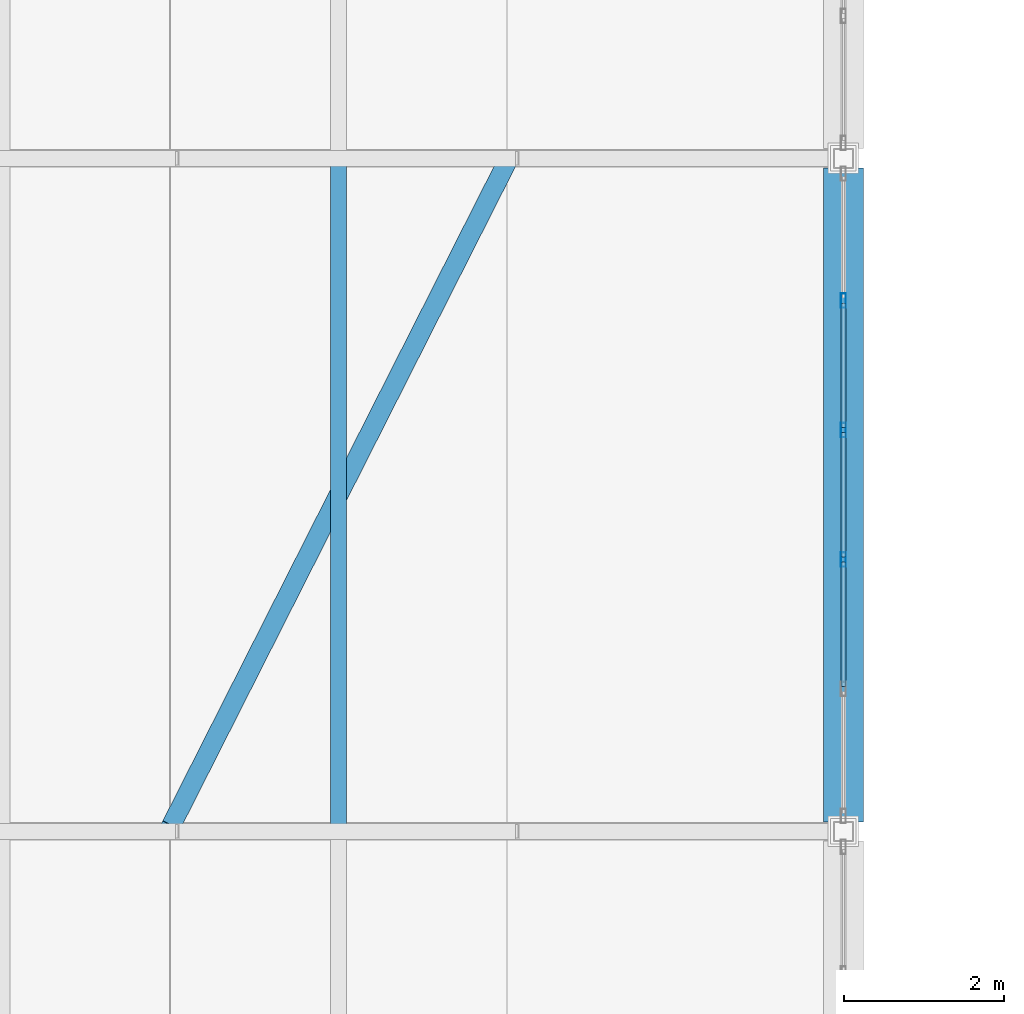
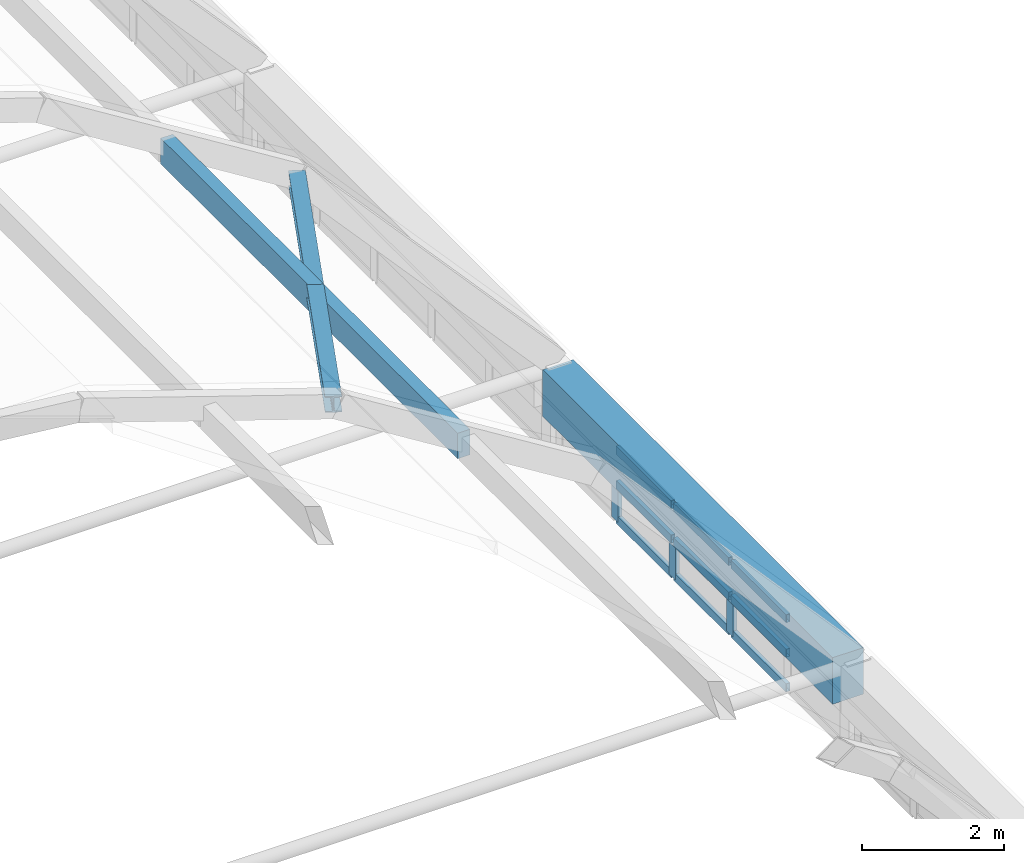
# One storey, part 24 of 114: 14 members, 1 beam, 1 element without a shape of its own.
"""IFC4 building model written with IfcOpenShell, lengths in metres."""

from ifc_helpers import new_model, si_unit, direction, frame, origin, origin_2d, place, context, subcontext, project, spatial, rectangle, hollow_rectangle, i_section, extrude, material, layer, layer_set, material_profile, profile_set, type_object, element, aggregate, save


model = new_model("IFC4")

# Units and contexts
model_context = context("Model", 3, precision=1e-05, world=origin(), true_north=direction((0.0, 1.0)))
body_context = subcontext(model_context, "Body", "Model", "MODEL_VIEW")
ifc_project = project(units=[si_unit("LENGTHUNIT", "METRE"), si_unit("AREAUNIT", "SQUARE_METRE"), si_unit("VOLUMEUNIT", "CUBIC_METRE"), si_unit("PLANEANGLEUNIT", "RADIAN"), si_unit("MASSUNIT", "GRAM", prefix="KILO")], contexts=[model_context])

# Site, building, storey
site_placement = place(None, origin())
site = spatial("IfcSite", under=ifc_project, at=site_placement, CompositionType="ELEMENT")
building_placement = place(site_placement, origin())
building = spatial("IfcBuilding", under=site, at=building_placement, Name="Xazarin Passage Department Store", CompositionType="ELEMENT")
storey_placement = place(building_placement, frame((0.0, 0.0, 14.39990234375)))
storey = spatial("IfcBuildingStorey", under=building, at=storey_placement, Name="L03", CompositionType="ELEMENT", Elevation=14.39990234375)

# Curtain wall, members
ifc_material_1 = material(Name="Bronze anodised aluminium", Category="aluminium")
ifc_layer = layer(ifc_material_1, 0.159912109375)
ifc_layer_set = layer_set([ifc_layer], Name="Bronze anodised aluminium")
curtain_wall_type = type_object("IfcCurtainWallType", Name="ARC-CW-ARC1", PredefinedType="NOTDEFINED", material=ifc_layer_set)
curtain_wall_placement = place(storey_placement, origin())
curtain_wall = element("IfcCurtainWall", 1, at=curtain_wall_placement, inside=storey, type_object=curtain_wall_type, Name="L03 V2S Galleria Clerestory Curtain Wall 4E", PredefinedType="NOTDEFINED")
ifc_material_profile_1 = material_profile(ifc_material_1, hollow_rectangle(XDim=0.06494140625, YDim=0.179931640625, WallThickness=0.00390625, at=origin_2d()), Name="ALU 65x180")
ifc_profile_set_1 = profile_set([ifc_material_profile_1], Name="Bronze anodised aluminium")
member_type_1 = type_object("IfcMemberType", Name="ARC-CWM-65x180", PredefinedType="MULLION", material=ifc_profile_set_1)
member_1_placement = place(storey_placement, frame((101.60009765625, 28.592041015625, 0.0), z_axis=(0.0, 0.0, 1.0), x_axis=(-1.0, 0.0, 0.0)))
member_1 = element("IfcMember", 2, at=member_1_placement, type_object=member_type_1, Name="CW3 mullion 3", PredefinedType="MULLION", context=body_context, shape_type="SweptSolid", body=[
    extrude(hollow_rectangle(XDim=0.06494140625, YDim=0.179931640625, WallThickness=0.00390625, at=origin_2d()), origin(), (0.0, 0.0, 1.0), 1.251708984375),
])
member_2_placement = place(storey_placement, frame((101.60009765625, 30.2080078125, 0.0), z_axis=(0.0, 0.0, 1.0), x_axis=(-1.0, 0.0, 0.0)))
member_2 = element("IfcMember", 3, at=member_2_placement, type_object=member_type_1, Name="CW3 mullion 4", PredefinedType="MULLION", context=body_context, shape_type="SweptSolid", body=[
    extrude(hollow_rectangle(XDim=0.06494140625, YDim=0.179931640625, WallThickness=0.00390625, at=origin_2d()), origin(), (0.0, 0.0, 1.0), 1.251708984375),
])
member_3_placement = place(storey_placement, frame((101.60009765625, 31.823974609375, 0.0), z_axis=(0.0, 0.0, 1.0), x_axis=(-1.0, 0.0, 0.0)))
member_3 = element("IfcMember", 4, at=member_3_placement, type_object=member_type_1, Name="CW3 mullion 5", PredefinedType="MULLION", context=body_context, shape_type="SweptSolid", body=[
    extrude(hollow_rectangle(XDim=0.06494140625, YDim=0.179931640625, WallThickness=0.00390625, at=origin_2d()), origin(), (0.0, 0.0, 1.0), 1.251708984375),
])
ifc_material_profile_2 = material_profile(ifc_material_1, hollow_rectangle(XDim=0.06494140625, YDim=0.139892578125, WallThickness=0.00390625, at=origin_2d()), Name="ALU 65x140")
ifc_profile_set_2 = profile_set([ifc_material_profile_2], Name="Bronze anodised aluminium")
member_type_2 = type_object("IfcMemberType", Name="ARC-CWT-65x140", PredefinedType="USERDEFINED", material=ifc_profile_set_2)
member_4_placement = place(storey_placement, frame((101.60009765625, 27.008544921875, 0.03271484375), z_axis=(0.0, 1.0, 0.0), x_axis=(-1.0, 0.0, 0.0)))
member_4 = element("IfcMember", 5, at=member_4_placement, type_object=member_type_2, Name="CW3 transom 2.1", ObjectType="TRANSOM", PredefinedType="USERDEFINED", context=body_context, shape_type="SweptSolid", body=[
    extrude(hollow_rectangle(XDim=0.06494140625, YDim=0.139892578125, WallThickness=0.00390625, at=origin_2d()), origin(), (0.0, 0.0, 1.0), 1.551025390625),
])
member_5_placement = place(storey_placement, frame((101.60009765625, 27.008544921875, 0.6259765625), z_axis=(0.0, 1.0, 0.0), x_axis=(-1.0, 0.0, 0.0)))
member_5 = element("IfcMember", 6, at=member_5_placement, type_object=member_type_2, Name="CW3 transom 2.2", ObjectType="TRANSOM", PredefinedType="USERDEFINED", context=body_context, shape_type="SweptSolid", body=[
    extrude(hollow_rectangle(XDim=0.06494140625, YDim=0.139892578125, WallThickness=0.00390625, at=origin_2d()), origin(), (0.0, 0.0, 1.0), 1.551025390625),
])
member_6_placement = place(storey_placement, frame((101.60009765625, 27.008544921875, 1.21923828125), z_axis=(0.0, 1.0, 0.0), x_axis=(-1.0, 0.0, 0.0)))
member_6 = element("IfcMember", 7, at=member_6_placement, type_object=member_type_2, Name="CW3 transom 2.3", ObjectType="TRANSOM", PredefinedType="USERDEFINED", context=body_context, shape_type="SweptSolid", body=[
    extrude(hollow_rectangle(XDim=0.06494140625, YDim=0.139892578125, WallThickness=0.00390625, at=origin_2d()), origin(), (0.0, 0.0, 1.0), 1.551025390625),
])
member_7_placement = place(storey_placement, frame((101.60009765625, 28.62451171875, 0.03271484375), z_axis=(0.0, 1.0, 0.0), x_axis=(-1.0, 0.0, 0.0)))
member_7 = element("IfcMember", 8, at=member_7_placement, type_object=member_type_2, Name="CW3 transom 3.1", ObjectType="TRANSOM", PredefinedType="USERDEFINED", context=body_context, shape_type="SweptSolid", body=[
    extrude(hollow_rectangle(XDim=0.06494140625, YDim=0.139892578125, WallThickness=0.00390625, at=origin_2d()), origin(), (0.0, 0.0, 1.0), 1.551025390625),
])
member_8_placement = place(storey_placement, frame((101.60009765625, 28.62451171875, 0.6259765625), z_axis=(0.0, 1.0, 0.0), x_axis=(-1.0, 0.0, 0.0)))
member_8 = element("IfcMember", 9, at=member_8_placement, type_object=member_type_2, Name="CW3 transom 3.2", ObjectType="TRANSOM", PredefinedType="USERDEFINED", context=body_context, shape_type="SweptSolid", body=[
    extrude(hollow_rectangle(XDim=0.06494140625, YDim=0.139892578125, WallThickness=0.00390625, at=origin_2d()), origin(), (0.0, 0.0, 1.0), 1.551025390625),
])
member_9_placement = place(storey_placement, frame((101.60009765625, 28.62451171875, 1.21923828125), z_axis=(0.0, 1.0, 0.0), x_axis=(-1.0, 0.0, 0.0)))
member_9 = element("IfcMember", 10, at=member_9_placement, type_object=member_type_2, Name="CW3 transom 3.3", ObjectType="TRANSOM", PredefinedType="USERDEFINED", context=body_context, shape_type="SweptSolid", body=[
    extrude(hollow_rectangle(XDim=0.06494140625, YDim=0.139892578125, WallThickness=0.00390625, at=origin_2d()), origin(), (0.0, 0.0, 1.0), 1.551025390625),
])
member_10_placement = place(storey_placement, frame((101.60009765625, 30.240478515625, 0.03271484375), z_axis=(0.0, 1.0, 0.0), x_axis=(-1.0, 0.0, 0.0)))
member_10 = element("IfcMember", 11, at=member_10_placement, type_object=member_type_2, Name="CW3 transom 4.1", ObjectType="TRANSOM", PredefinedType="USERDEFINED", context=body_context, shape_type="SweptSolid", body=[
    extrude(hollow_rectangle(XDim=0.06494140625, YDim=0.139892578125, WallThickness=0.00390625, at=origin_2d()), origin(), (0.0, 0.0, 1.0), 1.551025390625),
])
member_11_placement = place(storey_placement, frame((101.60009765625, 30.240478515625, 0.6259765625), z_axis=(0.0, 1.0, 0.0), x_axis=(-1.0, 0.0, 0.0)))
member_11 = element("IfcMember", 12, at=member_11_placement, type_object=member_type_2, Name="CW3 transom 4.2", ObjectType="TRANSOM", PredefinedType="USERDEFINED", context=body_context, shape_type="SweptSolid", body=[
    extrude(hollow_rectangle(XDim=0.06494140625, YDim=0.139892578125, WallThickness=0.00390625, at=origin_2d()), origin(), (0.0, 0.0, 1.0), 1.551025390625),
])
member_12_placement = place(storey_placement, frame((101.60009765625, 30.240478515625, 1.21923828125), z_axis=(0.0, 1.0, 0.0), x_axis=(-1.0, 0.0, 0.0)))
member_12 = element("IfcMember", 13, at=member_12_placement, type_object=member_type_2, Name="CW3 transom 4.3", ObjectType="TRANSOM", PredefinedType="USERDEFINED", context=body_context, shape_type="SweptSolid", body=[
    extrude(hollow_rectangle(XDim=0.06494140625, YDim=0.139892578125, WallThickness=0.00390625, at=origin_2d()), origin(), (0.0, 0.0, 1.0), 1.551025390625),
])
aggregate(curtain_wall, [member_1, member_2, member_3, member_4, member_5, member_6, member_7, member_8, member_9, member_10, member_11, member_12])

# Beam
ifc_material_2 = material(Name="Concrete C40/50", Category="concrete")
ifc_material_profile_3 = material_profile(ifc_material_2, rectangle(XDim=0.5, YDim=0.800048828125, at=origin_2d()), Name="RC 500x800")
ifc_profile_set_3 = profile_set([ifc_material_profile_3], Name="Concrete C40/50")
beam_type = type_object("IfcBeamType", Name="STR-BM-RG500x800", PredefinedType="BEAM", material=ifc_profile_set_3)
beam_placement = place(storey_placement, frame((101.60009765625, 25.320068359375, 1.251708984375), z_axis=(0.0, 1.0, 0.0), x_axis=(-1.0, 0.0, 0.0)))
element("IfcBeam", 14, at=beam_placement, inside=storey, type_object=beam_type, Name="V2S Springing Ring Girder E-4", PredefinedType="BEAM", context=body_context, shape_type="SweptSolid", body=[
    extrude(rectangle(XDim=0.5, YDim=0.800048828125, at=origin_2d()), origin(), (0.0, 0.0, 1.0), 8.159912109375),
])

# Members
ifc_material_3 = material(Name="Glulam GL28h", Category="wood")
ifc_material_profile_4 = material_profile(ifc_material_3, rectangle(XDim=0.199951171875, YDim=0.43994140625, at=origin_2d()), Name="GL28h 200x440")
ifc_profile_set_4 = profile_set([ifc_material_profile_4], Name="Glulam GL28h")
member_type_3 = type_object("IfcMemberType", Name="STR-MEM-GL440", PredefinedType="PURLIN", material=ifc_profile_set_4)
member_13_placement = place(storey_placement, frame((95.300048828125, 25.219970703125, 7.501220703125), z_axis=(0.0, 1.0, 0.0), x_axis=(-1.0, 0.0, 0.0)))
element("IfcMember", 15, at=member_13_placement, inside=storey, type_object=member_type_3, Name="V2S Glulam Gridshell Purlin 4.7", PredefinedType="PURLIN", context=body_context, shape_type="SweptSolid", body=[
    extrude(rectangle(XDim=0.199951171875, YDim=0.43994140625, at=origin_2d()), origin(), (0.0, 0.0, 1.0), 8.360107421875),
])
ifc_material_4 = material(Name="Steel S355", Category="steel")
ifc_material_profile_5 = material_profile(ifc_material_4, i_section(OverallWidth=0.239990234375, OverallDepth=0.239990234375, WebThickness=0.010009765625, FlangeThickness=0.01708984375, FilletRadius=0.02099609375, at=origin_2d()), Name="HEB 240")
ifc_profile_set_5 = profile_set([ifc_material_profile_5], Name="Steel S355")
member_type_4 = type_object("IfcMemberType", Name="STR-MEM-HB240", PredefinedType="BRACE", material=ifc_profile_set_5)
member_14_placement = place(storey_placement, frame((93.199951171875, 25.25, 8.900634765625), z_axis=(0.434609592328, 0.858886375073, -0.270977299733), x_axis=(-0.892269998561, 0.451502214467, 0.0)))
element("IfcMember", 16, at=member_14_placement, inside=storey, type_object=member_type_4, Name="V2S Gridshell Diagonal Brace 4.6", PredefinedType="BRACE", context=body_context, shape_type="SweptSolid", body=[
    extrude(i_section(OverallWidth=0.239990234375, OverallDepth=0.239990234375, WebThickness=0.010009765625, FlangeThickness=0.01708984375, FilletRadius=0.02099609375, at=origin_2d()), origin(), (0.0, 0.0, 1.0), 9.663818359375),
])

save(model, "model.ifc")
